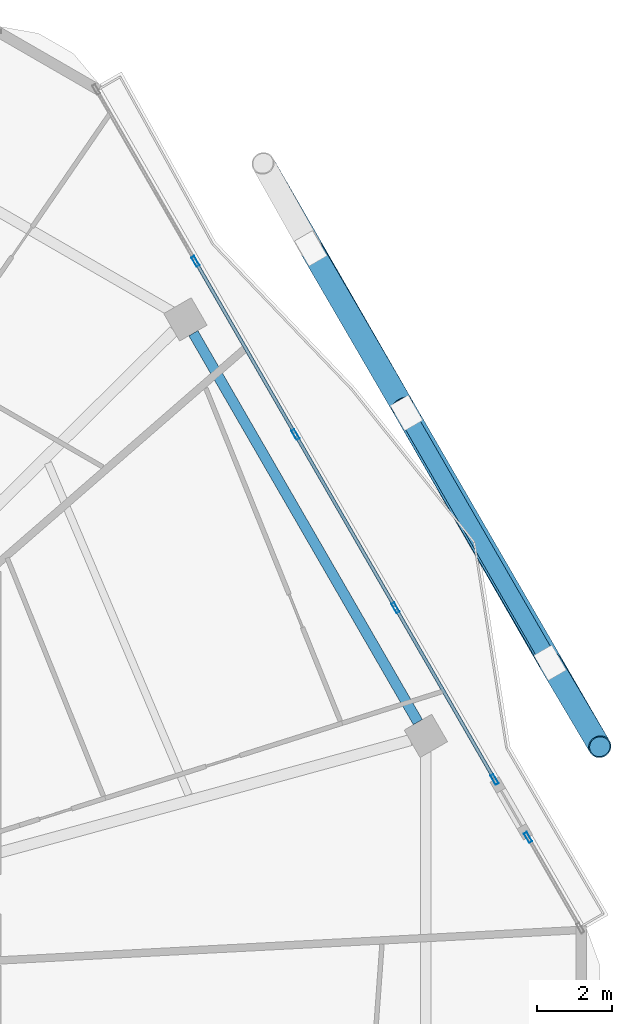
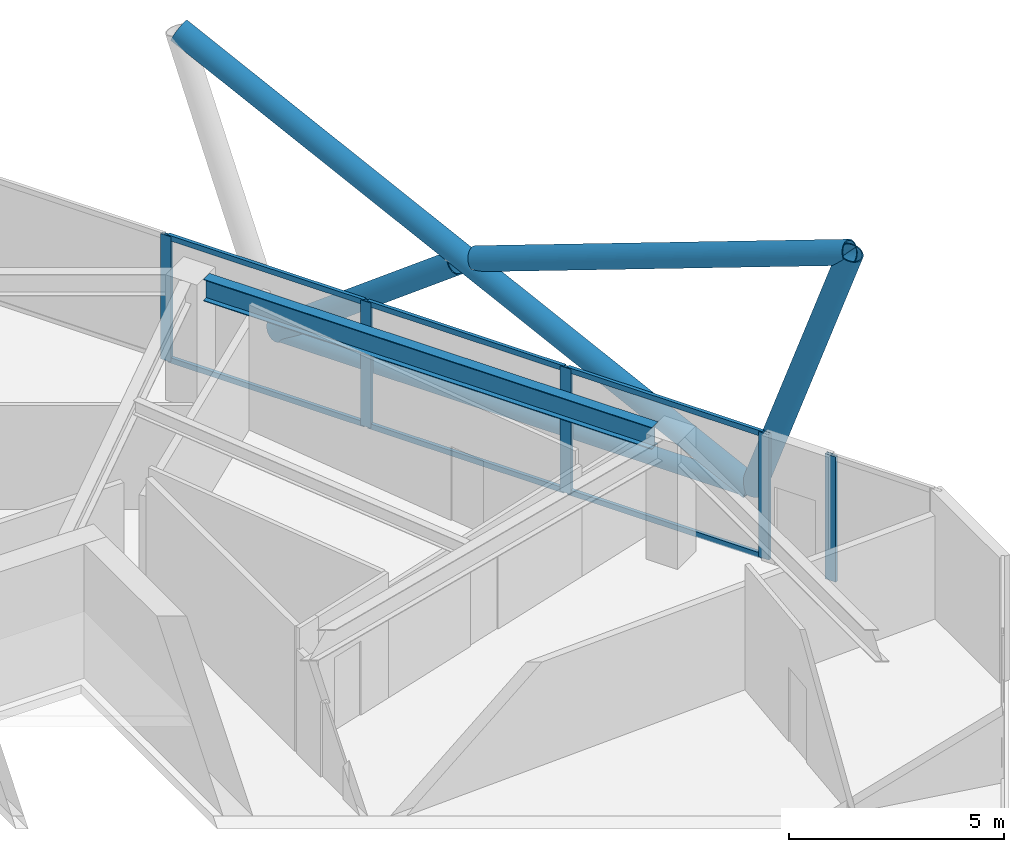
# One storey, part 17 of 28: 16 members, 1 beam, 2 elements without a shape of their own.
"""IFC4 building model written with IfcOpenShell, lengths in metres."""

from ifc_helpers import new_model, si_unit, direction, frame, origin, origin_2d, place, context, subcontext, project, spatial, hollow_rectangle, hollow_circle, i_section, extrude, material, material_profile, profile_set, type_object, element, aggregate, save


model = new_model("IFC4")

# Units and contexts
model_context = context("Model", 3, precision=1e-05, world=origin(), true_north=direction((0.0, 1.0)))
body_context = subcontext(model_context, "Body", "Model", "MODEL_VIEW")
ifc_project = project(units=[si_unit("LENGTHUNIT", "METRE"), si_unit("AREAUNIT", "SQUARE_METRE"), si_unit("VOLUMEUNIT", "CUBIC_METRE"), si_unit("PLANEANGLEUNIT", "RADIAN"), si_unit("MASSUNIT", "GRAM", prefix="KILO")], contexts=[model_context])

# Site, building, storey
site_placement = place(None, origin())
site = spatial("IfcSite", under=ifc_project, at=site_placement, CompositionType="ELEMENT")
building_placement = place(site_placement, origin())
building = spatial("IfcBuilding", under=site, at=building_placement, Name="Zuhravey Tower", CompositionType="ELEMENT")
storey_placement = place(building_placement, frame((0.0, 0.0, 284.39990234375)))
storey = spatial("IfcBuildingStorey", under=building, at=storey_placement, Name="L72", CompositionType="ELEMENT", Elevation=284.39990234375)

# Curtain wall, members
ifc_material_1 = material(Name="Thermally broken anodised aluminium", Category="aluminium")
curtain_wall_type = type_object("IfcCurtainWallType", Name="Zone 3-4 High-Rise Curtain Wall CW4", PredefinedType="NOTDEFINED", material=ifc_material_1)
curtain_wall_1_placement = place(storey_placement, origin())
curtain_wall_1 = element("IfcCurtainWall", 1, at=curtain_wall_1_placement, inside=storey, type_object=curtain_wall_type, Name="L72 CW4 CW-L72-F1-1", PredefinedType="NOTDEFINED")
ifc_material_2 = material(Name="Anodised aluminium", Category="aluminium")
ifc_material_profile_1 = material_profile(ifc_material_2, hollow_rectangle(XDim=0.090087890625, YDim=0.284912109375, WallThickness=0.0048828125, at=origin_2d()), Name="ALU-RHS-90x285x5")
ifc_profile_set_1 = profile_set([ifc_material_profile_1], Name="Anodised aluminium")
member_type_1 = type_object("IfcMemberType", Name="Curtain-Wall Mullion 90x180", PredefinedType="MULLION", material=ifc_profile_set_1)
member_1_placement = place(storey_placement, frame((54.311279296875, 51.4111328125, 0.0), z_axis=(0.0, 0.0, 1.0), x_axis=(0.866024974058, 0.500000744307, 0.0)))
member_1 = element("IfcMember", 2, at=member_1_placement, type_object=member_type_1, Name="CW4 mullion 2", PredefinedType="MULLION", context=body_context, shape_type="SweptSolid", body=[
    extrude(hollow_rectangle(XDim=0.090087890625, YDim=0.284912109375, WallThickness=0.0048828125, at=origin_2d()), origin(), (0.0, 0.0, 1.0), 3.550048828125),
])
member_2_placement = place(storey_placement, frame((56.990234375, 46.77099609375, 0.0), z_axis=(0.0, 0.0, 1.0), x_axis=(0.866024974058, 0.500000744307, 0.0)))
member_2 = element("IfcMember", 3, at=member_2_placement, type_object=member_type_1, Name="CW4 mullion 3", PredefinedType="MULLION", context=body_context, shape_type="SweptSolid", body=[
    extrude(hollow_rectangle(XDim=0.090087890625, YDim=0.284912109375, WallThickness=0.0048828125, at=origin_2d()), origin(), (0.0, 0.0, 1.0), 3.550048828125),
])
member_3_placement = place(storey_placement, frame((59.669189453125, 42.131103515625, 0.0), z_axis=(0.0, 0.0, 1.0), x_axis=(0.866024974058, 0.500000744307, 0.0)))
member_3 = element("IfcMember", 4, at=member_3_placement, type_object=member_type_1, Name="CW4 mullion 4", PredefinedType="MULLION", context=body_context, shape_type="SweptSolid", body=[
    extrude(hollow_rectangle(XDim=0.090087890625, YDim=0.284912109375, WallThickness=0.0048828125, at=origin_2d()), origin(), (0.0, 0.0, 1.0), 3.550048828125),
])
member_4_placement = place(storey_placement, frame((62.32568359375, 37.530029296875, 0.0), z_axis=(0.0, 0.0, 1.0), x_axis=(0.866024974058, 0.500000744307, 0.0)))
member_4 = element("IfcMember", 5, at=member_4_placement, type_object=member_type_1, Name="CW4 mullion 5", PredefinedType="MULLION", context=body_context, shape_type="SweptSolid", body=[
    extrude(hollow_rectangle(XDim=0.090087890625, YDim=0.284912109375, WallThickness=0.0048828125, at=origin_2d()), origin(), (0.0, 0.0, 1.0), 3.550048828125),
])

# Curtain wall, member
curtain_wall_2_placement = place(storey_placement, origin())
curtain_wall_2 = element("IfcCurtainWall", 6, at=curtain_wall_2_placement, inside=storey, type_object=curtain_wall_type, Name="L72 CW4 CW-L72-F1-2", PredefinedType="NOTDEFINED")
member_5_placement = place(storey_placement, frame((63.220703125, 35.979736328125, 0.0), z_axis=(0.0, 0.0, 1.0), x_axis=(0.866018707062, 0.500011598885, 0.0)))
member_5 = element("IfcMember", 7, at=member_5_placement, type_object=member_type_1, Name="CW4 mullion 1", PredefinedType="MULLION", context=body_context, shape_type="SweptSolid", body=[
    extrude(hollow_rectangle(XDim=0.090087890625, YDim=0.284912109375, WallThickness=0.0048828125, at=origin_2d()), origin(), (0.0, 0.0, 1.0), 3.550048828125),
])
aggregate(curtain_wall_2, [member_5])

# Member
ifc_material_profile_2 = material_profile(ifc_material_2, hollow_rectangle(XDim=0.090087890625, YDim=0.14990234375, WallThickness=0.0048828125, at=origin_2d()), Name="ALU-RHS-90x150x5")
ifc_profile_set_2 = profile_set([ifc_material_profile_2], Name="Anodised aluminium")
member_type_2 = type_object("IfcMemberType", Name="Curtain-Wall Transom 90x150", PredefinedType="USERDEFINED", material=ifc_profile_set_2)
member_6_placement = place(storey_placement, frame((54.333740234375, 51.3720703125, 0.045166015625), z_axis=(0.500021997861, -0.866012702941, 0.0), x_axis=(0.866012702941, 0.500021997861, 0.0)))
member_6 = element("IfcMember", 8, at=member_6_placement, type_object=member_type_2, Name="CW4 transom 2.1", ObjectType="TRANSOM", PredefinedType="USERDEFINED", context=body_context, shape_type="SweptSolid", body=[
    extrude(hollow_rectangle(XDim=0.090087890625, YDim=0.14990234375, WallThickness=0.0048828125, at=origin_2d()), origin(), (0.0, 0.0, 1.0), 5.267822265625),
])

member_7_placement = place(storey_placement, frame((54.333740234375, 51.3720703125, 3.505126953125), z_axis=(0.500021997861, -0.866012702941, 0.0), x_axis=(0.866012702941, 0.500021997861, 0.0)))
member_7 = element("IfcMember", 9, at=member_7_placement, type_object=member_type_2, Name="CW4 transom 2.2", ObjectType="TRANSOM", PredefinedType="USERDEFINED", context=body_context, shape_type="SweptSolid", body=[
    extrude(hollow_rectangle(XDim=0.090087890625, YDim=0.14990234375, WallThickness=0.0048828125, at=origin_2d()), origin(), (0.0, 0.0, 1.0), 5.267822265625),
])

member_8_placement = place(storey_placement, frame((57.0126953125, 46.732177734375, 0.045166015625), z_axis=(0.500001929737, -0.866024289647, 0.0), x_axis=(0.866024289647, 0.500001929737, 0.0)))
member_8 = element("IfcMember", 10, at=member_8_placement, type_object=member_type_2, Name="CW4 transom 3.1", ObjectType="TRANSOM", PredefinedType="USERDEFINED", context=body_context, shape_type="SweptSolid", body=[
    extrude(hollow_rectangle(XDim=0.090087890625, YDim=0.14990234375, WallThickness=0.0048828125, at=origin_2d()), origin(), (0.0, 0.0, 1.0), 5.26806640625),
])

member_9_placement = place(storey_placement, frame((57.0126953125, 46.732177734375, 3.505126953125), z_axis=(0.500001929737, -0.866024289647, 0.0), x_axis=(0.866024289647, 0.500001929737, 0.0)))
member_9 = element("IfcMember", 11, at=member_9_placement, type_object=member_type_2, Name="CW4 transom 3.2", ObjectType="TRANSOM", PredefinedType="USERDEFINED", context=body_context, shape_type="SweptSolid", body=[
    extrude(hollow_rectangle(XDim=0.090087890625, YDim=0.14990234375, WallThickness=0.0048828125, at=origin_2d()), origin(), (0.0, 0.0, 1.0), 5.26806640625),
])

member_10_placement = place(storey_placement, frame((59.691650390625, 42.092041015625, 0.045166015625), z_axis=(0.499980071345, -0.866036909293, 0.0), x_axis=(0.866036909293, 0.499980071345, 0.0)))
member_10 = element("IfcMember", 12, at=member_10_placement, type_object=member_type_2, Name="CW4 transom 4.1", ObjectType="TRANSOM", PredefinedType="USERDEFINED", context=body_context, shape_type="SweptSolid", body=[
    extrude(hollow_rectangle(XDim=0.090087890625, YDim=0.14990234375, WallThickness=0.0048828125, at=origin_2d()), origin(), (0.0, 0.0, 1.0), 5.222900390625),
])

member_11_placement = place(storey_placement, frame((59.691650390625, 42.092041015625, 3.505126953125), z_axis=(0.499980071345, -0.866036909293, 0.0), x_axis=(0.866036909293, 0.499980071345, 0.0)))
member_11 = element("IfcMember", 13, at=member_11_placement, type_object=member_type_2, Name="CW4 transom 4.2", ObjectType="TRANSOM", PredefinedType="USERDEFINED", context=body_context, shape_type="SweptSolid", body=[
    extrude(hollow_rectangle(XDim=0.090087890625, YDim=0.14990234375, WallThickness=0.0048828125, at=origin_2d()), origin(), (0.0, 0.0, 1.0), 5.222900390625),
])

aggregate(curtain_wall_1, [member_1, member_2, member_3, member_4, member_6, member_7, member_8, member_9, member_10, member_11])

# Members
ifc_material_3 = material(Name="Steel SM355", Category="steel")
ifc_material_profile_3 = material_profile(ifc_material_3, hollow_circle(Radius=0.228515625, WallThickness=0.02197265625, at=origin_2d()), Name="CHS-457.2x22")
ifc_profile_set_3 = profile_set([ifc_material_profile_3], Name="Steel SM355")
member_type_3 = type_object("IfcMemberType", Name="Exoskeleton Ring Tie CHS457x22", PredefinedType="CHORD", material=ifc_profile_set_3)
member_12_placement = place(storey_placement, frame((63.74072265625, 40.77880859375, -0.4638671875), z_axis=(-0.499993323494, 0.866029258433, 0.0), x_axis=(-0.866029258433, -0.499993323494, 0.0)))
element("IfcMember", 14, at=member_12_placement, inside=storey, type_object=member_type_3, Name="L72 Exoskeleton Face 1 Tie EXR1", PredefinedType="CHORD", context=body_context, shape_type="SweptSolid", body=[
    extrude(hollow_circle(Radius=0.228515625, WallThickness=0.02197265625, at=origin_2d()), origin(), (0.0, 0.0, 1.0), 12.535400390625),
])
ifc_material_profile_4 = material_profile(ifc_material_3, hollow_circle(Radius=0.3046875, WallThickness=0.028076171875, at=origin_2d()), Name="CHS-609.6x28")
ifc_profile_set_4 = profile_set([ifc_material_profile_4], Name="Steel SM355")
member_type_4 = type_object("IfcMemberType", Name="Exoskeleton Zone 3 Diagrid CHS610x28", PredefinedType="BRACE", material=ifc_profile_set_4)
member_13_placement = place(storey_placement, frame((63.81396484375, 40.65234375, -0.44580078125), z_axis=(0.166263547493, -0.280502989926, 0.945343591197), x_axis=(0.860238328743, 0.509892162876, 0.0)))
element("IfcMember", 15, at=member_13_placement, inside=storey, type_object=member_type_4, Name="L72 Face 1 Diagrid Brace 1", PredefinedType="BRACE", context=body_context, shape_type="SweptSolid", body=[
    extrude(hollow_circle(Radius=0.3046875, WallThickness=0.028076171875, at=origin_2d()), origin(), (0.0, 0.0, 1.0), 8.001220703125),
])
member_14_placement = place(storey_placement, frame((63.79248046875, 40.689208984375, -0.44580078125), z_axis=(-0.447059895472, 0.777842588716, 0.441699396694), x_axis=(-0.867002422958, -0.498303921904, 0.0)))
element("IfcMember", 16, at=member_14_placement, inside=storey, type_object=member_type_4, Name="L72 Face 1 Diagrid Brace 2", PredefinedType="BRACE", context=body_context, shape_type="SweptSolid", body=[
    extrude(hollow_circle(Radius=0.3046875, WallThickness=0.028076171875, at=origin_2d()), origin(), (0.0, 0.0, 1.0), 17.124755859375),
])
member_15_placement = place(storey_placement, frame((57.41943359375, 51.727783203125, -0.439453125), z_axis=(0.402918652878, -0.693127117085, 0.597688345816), x_axis=(0.86454091155, 0.502562446127, 0.0)))
element("IfcMember", 17, at=member_15_placement, inside=storey, type_object=member_type_4, Name="L72 Face 1 Split Diagrid Brace 3A", PredefinedType="BRACE", context=body_context, shape_type="SweptSolid", body=[
    extrude(hollow_circle(Radius=0.3046875, WallThickness=0.028076171875, at=origin_2d()), origin(), (0.0, 0.0, 1.0), 6.021728515625),
])
member_16_placement = place(storey_placement, frame((60.103271484375, 47.10986328125, 3.437744140625), z_axis=(0.47048560947, -0.812183155401, 0.344966394544), x_axis=(0.865299535877, 0.501255137839, 0.0)))
element("IfcMember", 18, at=member_16_placement, inside=storey, type_object=member_type_4, Name="L72 Face 1 Split Diagrid Brace 3B", PredefinedType="BRACE", context=body_context, shape_type="SweptSolid", body=[
    extrude(hollow_circle(Radius=0.3046875, WallThickness=0.028076171875, at=origin_2d()), origin(), (0.0, 0.0, 1.0), 10.68017578125),
])

# Beam
ifc_material_profile_5 = material_profile(ifc_material_3, i_section(OverallWidth=0.280029296875, OverallDepth=0.6201171875, WebThickness=0.011962890625, FlangeThickness=0.02001953125, at=origin_2d()), Name="H-620x280x12x20")
ifc_profile_set_5 = profile_set([ifc_material_profile_5], Name="Steel SM355")
beam_type = type_object("IfcBeamType", Name="Perimeter Ring Beam H620x280", PredefinedType="BEAM", material=ifc_profile_set_5)
beam_placement = place(storey_placement, frame((60.2705078125, 39.069580078125, 3.239990234375), z_axis=(-0.500005971936, 0.866021955858, 0.0), x_axis=(-0.866021955858, -0.500005971936, 0.0)))
element("IfcBeam", 19, at=beam_placement, inside=storey, type_object=beam_type, Name="L72 PB3 BM-L72-PB-01", PredefinedType="BEAM", context=body_context, shape_type="SweptSolid", body=[
    extrude(i_section(OverallWidth=0.280029296875, OverallDepth=0.6201171875, WebThickness=0.011962890625, FlangeThickness=0.02001953125, at=origin_2d()), origin(), (0.0, 0.0, 1.0), 12.025634765625),
])

save(model, "model.ifc")
